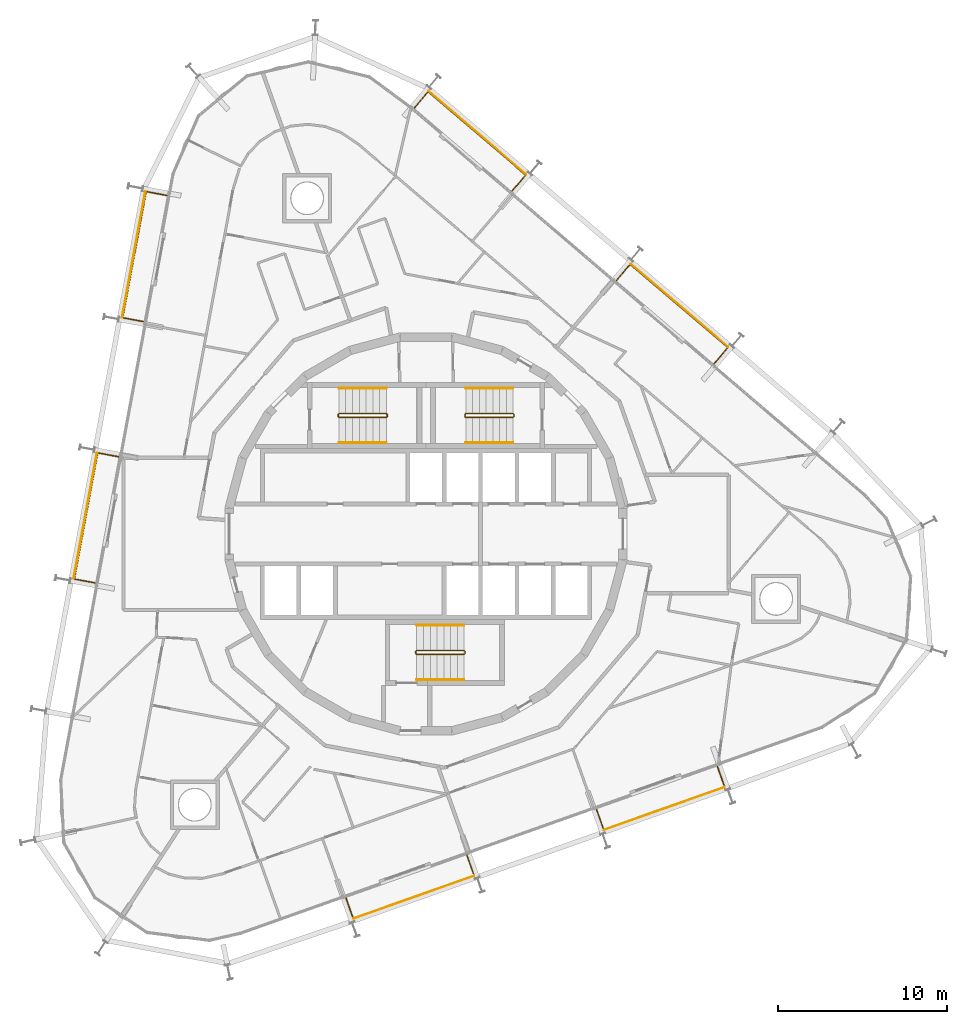
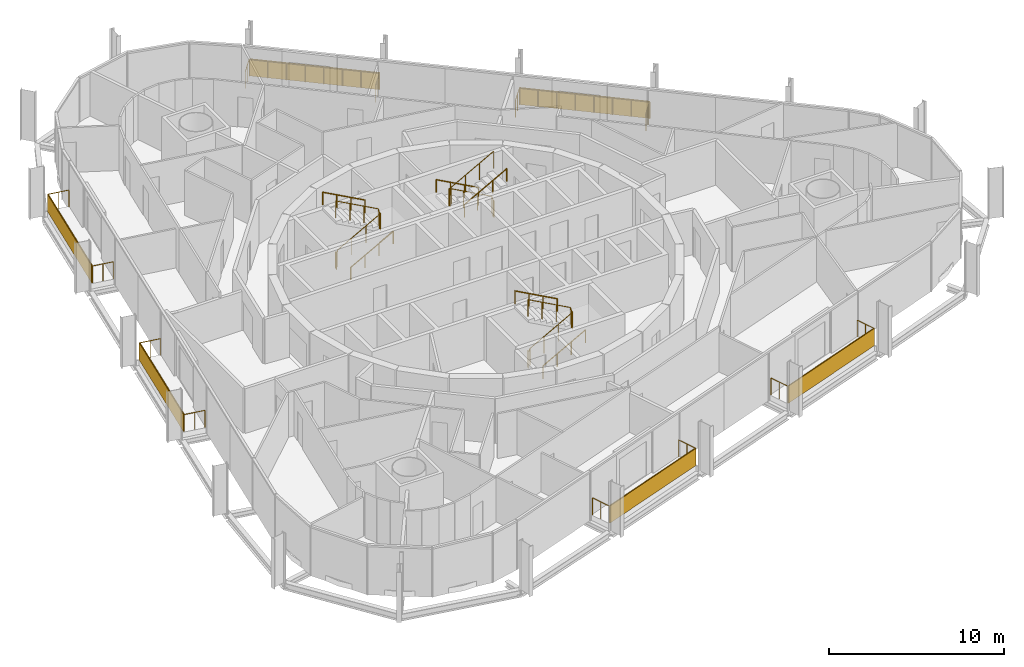
# One storey, part 17 of 17: 15 railings, 6 shading devices.
"""IFC4 building model written with IfcOpenShell, lengths in metres."""

from ifc_helpers import new_model, si_unit, direction, frame, origin, origin_2d, place, context, subcontext, project, spatial, rectangle, circle, extrude, material, layer, layer_set, type_object, element, save


model = new_model("IFC4")

# Units and contexts
model_context = context("Model", 3, precision=1e-05, world=origin(), true_north=direction((0.0, 1.0)))
body_context = subcontext(model_context, "Body", "Model", "MODEL_VIEW")
ifc_project = project(units=[si_unit("LENGTHUNIT", "METRE"), si_unit("AREAUNIT", "SQUARE_METRE"), si_unit("VOLUMEUNIT", "CUBIC_METRE"), si_unit("PLANEANGLEUNIT", "RADIAN"), si_unit("MASSUNIT", "GRAM", prefix="KILO")], contexts=[model_context])

# Site, building, storey
site_placement = place(None, origin())
site = spatial("IfcSite", under=ifc_project, at=site_placement, CompositionType="ELEMENT")
building_placement = place(site_placement, origin())
building = spatial("IfcBuilding", under=site, at=building_placement, Name="Spindle Arch Residences", CompositionType="ELEMENT")
storey_placement = place(building_placement, frame((0.0, 0.0, 172.699951171875)))
storey = spatial("IfcBuildingStorey", under=building, at=storey_placement, Name="L43", CompositionType="ELEMENT", Elevation=172.699951171875)

# Railings
ifc_material_1 = material(Name="Bronze anodised aluminium guard with glass infill", Category="aluminium")
railing_type_1 = type_object("IfcRailingType", Name="Balcony guard 1200", PredefinedType="GUARDRAIL", material=ifc_material_1)
railing_1_placement = place(storey_placement, frame((10.081787109375, -16.2919921875, 0.0)))
element("IfcRailing", 1, at=railing_1_placement, inside=storey, type_object=railing_type_1, Name="Guard L43 bay 1", PredefinedType="GUARDRAIL", context=body_context, shape_type="SweptSolid", body=[
    extrude(circle(Radius=0.02392578125, at=origin_2d()), frame((0.0, 0.0, 1.17578125), z_axis=(0.333749533427, -0.942661789263, 0.0), x_axis=(0.942661789263, 0.333749533427, 0.0)), (0.0, 0.0, 1.0), 1.250244140625),
    extrude(circle(Radius=0.02392578125, at=origin_2d()), frame((0.417236328125, -1.178466796875, 1.17578125), z_axis=(0.942639455571, 0.333812607313, 0.0), x_axis=(-0.333812607313, 0.942639455571, 0.0)), (0.0, 0.0, 1.0), 7.590087890625),
    extrude(circle(Radius=0.02392578125, at=origin_2d()), frame((7.572021484375, 1.355224609375, 1.17578125), z_axis=(-0.333984527886, 0.942578556478, 0.0), x_axis=(-0.942578556478, -0.333984527886, 0.0)), (0.0, 0.0, 1.0), 1.25),
    extrude(circle(Radius=0.02099609375, at=origin_2d()), origin(), (0.0, 0.0, 1.0), 1.15185546875),
    extrude(circle(Radius=0.02099609375, at=origin_2d()), frame((0.20849609375, -0.58935546875, 0.0)), (0.0, 0.0, 1.0), 1.15185546875),
    extrude(circle(Radius=0.02099609375, at=origin_2d()), frame((0.417236328125, -1.178466796875, 0.0)), (0.0, 0.0, 1.0), 1.15185546875),
    extrude(circle(Radius=0.02099609375, at=origin_2d()), frame((1.439453125, -0.81640625, 0.0)), (0.0, 0.0, 1.0), 1.15185546875),
    extrude(circle(Radius=0.02099609375, at=origin_2d()), frame((2.46142578125, -0.45458984375, 0.0)), (0.0, 0.0, 1.0), 1.15185546875),
    extrude(circle(Radius=0.02099609375, at=origin_2d()), frame((3.483642578125, -0.092529296875, 0.0)), (0.0, 0.0, 1.0), 1.15185546875),
    extrude(circle(Radius=0.02099609375, at=origin_2d()), frame((4.505615234375, 0.269287109375, 0.0)), (0.0, 0.0, 1.0), 1.15185546875),
    extrude(circle(Radius=0.02099609375, at=origin_2d()), frame((5.52783203125, 0.63134765625, 0.0)), (0.0, 0.0, 1.0), 1.15185546875),
    extrude(circle(Radius=0.02099609375, at=origin_2d()), frame((6.5498046875, 0.9931640625, 0.0)), (0.0, 0.0, 1.0), 1.15185546875),
    extrude(circle(Radius=0.02099609375, at=origin_2d()), frame((7.572021484375, 1.355224609375, 0.0)), (0.0, 0.0, 1.0), 1.15185546875),
    extrude(circle(Radius=0.02099609375, at=origin_2d()), frame((7.36328125, 1.9443359375, 0.0)), (0.0, 0.0, 1.0), 1.15185546875),
    extrude(circle(Radius=0.02099609375, at=origin_2d()), frame((7.154541015625, 2.533447265625, 0.0)), (0.0, 0.0, 1.0), 1.15185546875),
])
railing_2_placement = place(storey_placement, frame((17.03759765625, 10.07080078125, 0.0)))
element("IfcRailing", 2, at=railing_2_placement, inside=storey, type_object=railing_type_1, Name="Guard L43 bay 7", PredefinedType="GUARDRAIL", context=body_context, shape_type="SweptSolid", body=[
    extrude(circle(Radius=0.02392578125, at=origin_2d()), frame((0.0, 0.0, 1.17578125), z_axis=(0.64945526422, 0.760399802589, 0.0), x_axis=(-0.760399802589, 0.64945526422, 0.0)), (0.0, 0.0, 1.0), 1.25),
    extrude(circle(Radius=0.02392578125, at=origin_2d()), frame((0.811767578125, 0.950439453125, 1.17578125), z_axis=(-0.760397505333, 0.649457953899, 0.0), x_axis=(-0.649457953899, -0.760397505333, 0.0)), (0.0, 0.0, 1.0), 7.590087890625),
    extrude(circle(Radius=0.02392578125, at=origin_2d()), frame((-4.959716796875, 5.8798828125, 1.17578125), z_axis=(-0.64945526422, -0.760399802589, 0.0), x_axis=(0.760399802589, -0.64945526422, 0.0)), (0.0, 0.0, 1.0), 1.25),
    extrude(circle(Radius=0.02099609375, at=origin_2d()), origin(), (0.0, 0.0, 1.0), 1.15185546875),
    extrude(circle(Radius=0.02099609375, at=origin_2d()), frame((0.40576171875, 0.47509765625, 0.0)), (0.0, 0.0, 1.0), 1.15185546875),
    extrude(circle(Radius=0.02099609375, at=origin_2d()), frame((0.811767578125, 0.950439453125, 0.0)), (0.0, 0.0, 1.0), 1.15185546875),
    extrude(circle(Radius=0.02099609375, at=origin_2d()), frame((-0.0126953125, 1.654541015625, 0.0)), (0.0, 0.0, 1.0), 1.15185546875),
    extrude(circle(Radius=0.02099609375, at=origin_2d()), frame((-0.837158203125, 2.35888671875, 0.0)), (0.0, 0.0, 1.0), 1.15185546875),
    extrude(circle(Radius=0.02099609375, at=origin_2d()), frame((-1.66162109375, 3.06298828125, 0.0)), (0.0, 0.0, 1.0), 1.15185546875),
    extrude(circle(Radius=0.02099609375, at=origin_2d()), frame((-2.486328125, 3.767333984375, 0.0)), (0.0, 0.0, 1.0), 1.15185546875),
    extrude(circle(Radius=0.02099609375, at=origin_2d()), frame((-3.310791015625, 4.471435546875, 0.0)), (0.0, 0.0, 1.0), 1.15185546875),
    extrude(circle(Radius=0.02099609375, at=origin_2d()), frame((-4.13525390625, 5.17578125, 0.0)), (0.0, 0.0, 1.0), 1.15185546875),
    extrude(circle(Radius=0.02099609375, at=origin_2d()), frame((-4.959716796875, 5.8798828125, 0.0)), (0.0, 0.0, 1.0), 1.15185546875),
    extrude(circle(Radius=0.02099609375, at=origin_2d()), frame((-5.36572265625, 5.40478515625, 0.0)), (0.0, 0.0, 1.0), 1.15185546875),
    extrude(circle(Radius=0.02099609375, at=origin_2d()), frame((-5.771484375, 4.929443359375, 0.0)), (0.0, 0.0, 1.0), 1.15185546875),
])
railing_3_placement = place(storey_placement, frame((5.083984375, 20.2802734375, 0.0)))
element("IfcRailing", 3, at=railing_3_placement, inside=storey, type_object=railing_type_1, Name="Guard L43 bay 9", PredefinedType="GUARDRAIL", context=body_context, shape_type="SweptSolid", body=[
    extrude(circle(Radius=0.02392578125, at=origin_2d()), frame((0.0, 0.0, 1.17578125), z_axis=(0.64945526422, 0.760399802589, 0.0), x_axis=(-0.760399802589, 0.64945526422, 0.0)), (0.0, 0.0, 1.0), 1.25),
    extrude(circle(Radius=0.02392578125, at=origin_2d()), frame((0.811767578125, 0.950439453125, 1.17578125), z_axis=(-0.760397505333, 0.649457953899, 0.0), x_axis=(-0.649457953899, -0.760397505333, 0.0)), (0.0, 0.0, 1.0), 7.590087890625),
    extrude(circle(Radius=0.02392578125, at=origin_2d()), frame((-4.959716796875, 5.8798828125, 1.17578125), z_axis=(-0.649358812972, -0.760482170741, 0.0), x_axis=(0.760482170741, -0.649358812972, 0.0)), (0.0, 0.0, 1.0), 1.25),
    extrude(circle(Radius=0.02099609375, at=origin_2d()), origin(), (0.0, 0.0, 1.0), 1.15185546875),
    extrude(circle(Radius=0.02099609375, at=origin_2d()), frame((0.40576171875, 0.47509765625, 0.0)), (0.0, 0.0, 1.0), 1.15185546875),
    extrude(circle(Radius=0.02099609375, at=origin_2d()), frame((0.811767578125, 0.950439453125, 0.0)), (0.0, 0.0, 1.0), 1.15185546875),
    extrude(circle(Radius=0.02099609375, at=origin_2d()), frame((-0.0126953125, 1.654541015625, 0.0)), (0.0, 0.0, 1.0), 1.15185546875),
    extrude(circle(Radius=0.02099609375, at=origin_2d()), frame((-0.837158203125, 2.35888671875, 0.0)), (0.0, 0.0, 1.0), 1.15185546875),
    extrude(circle(Radius=0.02099609375, at=origin_2d()), frame((-1.66162109375, 3.06298828125, 0.0)), (0.0, 0.0, 1.0), 1.15185546875),
    extrude(circle(Radius=0.02099609375, at=origin_2d()), frame((-2.486328125, 3.767333984375, 0.0)), (0.0, 0.0, 1.0), 1.15185546875),
    extrude(circle(Radius=0.02099609375, at=origin_2d()), frame((-3.310791015625, 4.471435546875, 0.0)), (0.0, 0.0, 1.0), 1.15185546875),
    extrude(circle(Radius=0.02099609375, at=origin_2d()), frame((-4.13525390625, 5.17578125, 0.0)), (0.0, 0.0, 1.0), 1.15185546875),
    extrude(circle(Radius=0.02099609375, at=origin_2d()), frame((-4.959716796875, 5.8798828125, 0.0)), (0.0, 0.0, 1.0), 1.15185546875),
    extrude(circle(Radius=0.02099609375, at=origin_2d()), frame((-5.36572265625, 5.404541015625, 0.0)), (0.0, 0.0, 1.0), 1.15185546875),
    extrude(circle(Radius=0.02099609375, at=origin_2d()), frame((-5.771484375, 4.92919921875, 0.0)), (0.0, 0.0, 1.0), 1.15185546875),
])
railing_4_placement = place(storey_placement, frame((-15.33056640625, 20.024169921875, 0.0)))
element("IfcRailing", 4, at=railing_4_placement, inside=storey, type_object=railing_type_1, Name="Guard L43 bay 13", PredefinedType="GUARDRAIL", context=body_context, shape_type="SweptSolid", body=[
    extrude(circle(Radius=0.02392578125, at=origin_2d()), frame((0.0, 0.0, 1.17578125), z_axis=(-0.983254793894, 0.182236138797, 0.0), x_axis=(-0.182236138797, -0.983254793894, 0.0)), (0.0, 0.0, 1.0), 1.25),
    extrude(circle(Radius=0.02392578125, at=origin_2d()), frame((-1.22900390625, 0.227783203125, 1.17578125), z_axis=(-0.182252818169, -0.983251702398, 0.0), x_axis=(0.983251702398, -0.182252818169, 0.0)), (0.0, 0.0, 1.0), 7.590087890625),
    extrude(circle(Radius=0.02392578125, at=origin_2d()), frame((-2.6123046875, -7.235107421875, 1.17578125), z_axis=(0.983261278697, -0.182201146579, 0.0), x_axis=(0.182201146579, 0.983261278697, 0.0)), (0.0, 0.0, 1.0), 1.250244140625),
    extrude(circle(Radius=0.02099609375, at=origin_2d()), origin(), (0.0, 0.0, 1.0), 1.15185546875),
    extrude(circle(Radius=0.02099609375, at=origin_2d()), frame((-0.614501953125, 0.11376953125, 0.0)), (0.0, 0.0, 1.0), 1.15185546875),
    extrude(circle(Radius=0.02099609375, at=origin_2d()), frame((-1.22900390625, 0.227783203125, 0.0)), (0.0, 0.0, 1.0), 1.15185546875),
    extrude(circle(Radius=0.02099609375, at=origin_2d()), frame((-1.426513671875, -0.83837890625, 0.0)), (0.0, 0.0, 1.0), 1.15185546875),
    extrude(circle(Radius=0.02099609375, at=origin_2d()), frame((-1.624267578125, -1.904541015625, 0.0)), (0.0, 0.0, 1.0), 1.15185546875),
    extrude(circle(Radius=0.02099609375, at=origin_2d()), frame((-1.82177734375, -2.970703125, 0.0)), (0.0, 0.0, 1.0), 1.15185546875),
    extrude(circle(Radius=0.02099609375, at=origin_2d()), frame((-2.01953125, -4.03662109375, 0.0)), (0.0, 0.0, 1.0), 1.15185546875),
    extrude(circle(Radius=0.02099609375, at=origin_2d()), frame((-2.217041015625, -5.102783203125, 0.0)), (0.0, 0.0, 1.0), 1.15185546875),
    extrude(circle(Radius=0.02099609375, at=origin_2d()), frame((-2.414794921875, -6.1689453125, 0.0)), (0.0, 0.0, 1.0), 1.15185546875),
    extrude(circle(Radius=0.02099609375, at=origin_2d()), frame((-2.6123046875, -7.235107421875, 0.0)), (0.0, 0.0, 1.0), 1.15185546875),
    extrude(circle(Radius=0.02099609375, at=origin_2d()), frame((-1.99755859375, -7.34912109375, 0.0)), (0.0, 0.0, 1.0), 1.15185546875),
    extrude(circle(Radius=0.02099609375, at=origin_2d()), frame((-1.383056640625, -7.462890625, 0.0)), (0.0, 0.0, 1.0), 1.15185546875),
])
railing_5_placement = place(storey_placement, frame((-18.1953125, 4.5673828125, 0.0)))
element("IfcRailing", 5, at=railing_5_placement, inside=storey, type_object=railing_type_1, Name="Guard L43 bay 15", PredefinedType="GUARDRAIL", context=body_context, shape_type="SweptSolid", body=[
    extrude(circle(Radius=0.02392578125, at=origin_2d()), frame((0.0, 0.0, 1.17578125), z_axis=(-0.983254793894, 0.182236138797, 0.0), x_axis=(-0.182236138797, -0.983254793894, 0.0)), (0.0, 0.0, 1.0), 1.25),
    extrude(circle(Radius=0.02392578125, at=origin_2d()), frame((-1.22900390625, 0.227783203125, 1.17578125), z_axis=(-0.18224705418, -0.983252770778, 0.0), x_axis=(0.983252770778, -0.18224705418, 0.0)), (0.0, 0.0, 1.0), 7.59033203125),
    extrude(circle(Radius=0.02392578125, at=origin_2d()), frame((-2.6123046875, -7.2353515625, 1.17578125), z_axis=(0.983261278697, -0.182201146579, 0.0), x_axis=(0.182201146579, 0.983261278697, 0.0)), (0.0, 0.0, 1.0), 1.250244140625),
    extrude(circle(Radius=0.02099609375, at=origin_2d()), origin(), (0.0, 0.0, 1.0), 1.15185546875),
    extrude(circle(Radius=0.02099609375, at=origin_2d()), frame((-0.614501953125, 0.11376953125, 0.0)), (0.0, 0.0, 1.0), 1.15185546875),
    extrude(circle(Radius=0.02099609375, at=origin_2d()), frame((-1.22900390625, 0.227783203125, 0.0)), (0.0, 0.0, 1.0), 1.15185546875),
    extrude(circle(Radius=0.02099609375, at=origin_2d()), frame((-1.426513671875, -0.83837890625, 0.0)), (0.0, 0.0, 1.0), 1.15185546875),
    extrude(circle(Radius=0.02099609375, at=origin_2d()), frame((-1.624267578125, -1.904541015625, 0.0)), (0.0, 0.0, 1.0), 1.15185546875),
    extrude(circle(Radius=0.02099609375, at=origin_2d()), frame((-1.82177734375, -2.970703125, 0.0)), (0.0, 0.0, 1.0), 1.15185546875),
    extrude(circle(Radius=0.02099609375, at=origin_2d()), frame((-2.01953125, -4.036865234375, 0.0)), (0.0, 0.0, 1.0), 1.15185546875),
    extrude(circle(Radius=0.02099609375, at=origin_2d()), frame((-2.217041015625, -5.10302734375, 0.0)), (0.0, 0.0, 1.0), 1.15185546875),
    extrude(circle(Radius=0.02099609375, at=origin_2d()), frame((-2.414794921875, -6.169189453125, 0.0)), (0.0, 0.0, 1.0), 1.15185546875),
    extrude(circle(Radius=0.02099609375, at=origin_2d()), frame((-2.6123046875, -7.2353515625, 0.0)), (0.0, 0.0, 1.0), 1.15185546875),
    extrude(circle(Radius=0.02099609375, at=origin_2d()), frame((-1.99755859375, -7.34912109375, 0.0)), (0.0, 0.0, 1.0), 1.15185546875),
    extrude(circle(Radius=0.02099609375, at=origin_2d()), frame((-1.383056640625, -7.463134765625, 0.0)), (0.0, 0.0, 1.0), 1.15185546875),
])
railing_6_placement = place(storey_placement, frame((-4.73681640625, -21.53955078125, 0.0)))
element("IfcRailing", 6, at=railing_6_placement, inside=storey, type_object=railing_type_1, Name="Guard L43 bay 21", PredefinedType="GUARDRAIL", context=body_context, shape_type="SweptSolid", body=[
    extrude(circle(Radius=0.02392578125, at=origin_2d()), frame((0.0, 0.0, 1.17578125), z_axis=(0.333810984592, -0.942640030216, 0.0), x_axis=(0.942640030216, 0.333810984592, 0.0)), (0.0, 0.0, 1.0), 1.25),
    extrude(circle(Radius=0.02392578125, at=origin_2d()), frame((0.417236328125, -1.17822265625, 1.17578125), z_axis=(0.942649576572, 0.333784025663, 0.0), x_axis=(-0.333784025663, 0.942649576572, 0.0)), (0.0, 0.0, 1.0), 7.590087890625),
    extrude(circle(Radius=0.02392578125, at=origin_2d()), frame((7.572021484375, 1.355224609375, 1.17578125), z_axis=(-0.333749533427, 0.942661789263, 0.0), x_axis=(-0.942661789263, -0.333749533427, 0.0)), (0.0, 0.0, 1.0), 1.250244140625),
    extrude(circle(Radius=0.02099609375, at=origin_2d()), origin(), (0.0, 0.0, 1.0), 1.15185546875),
    extrude(circle(Radius=0.02099609375, at=origin_2d()), frame((0.20849609375, -0.589111328125, 0.0)), (0.0, 0.0, 1.0), 1.15185546875),
    extrude(circle(Radius=0.02099609375, at=origin_2d()), frame((0.417236328125, -1.17822265625, 0.0)), (0.0, 0.0, 1.0), 1.15185546875),
    extrude(circle(Radius=0.02099609375, at=origin_2d()), frame((1.439453125, -0.81640625, 0.0)), (0.0, 0.0, 1.0), 1.15185546875),
    extrude(circle(Radius=0.02099609375, at=origin_2d()), frame((2.46142578125, -0.454345703125, 0.0)), (0.0, 0.0, 1.0), 1.15185546875),
    extrude(circle(Radius=0.02099609375, at=origin_2d()), frame((3.483642578125, -0.092529296875, 0.0)), (0.0, 0.0, 1.0), 1.15185546875),
    extrude(circle(Radius=0.02099609375, at=origin_2d()), frame((4.505615234375, 0.26953125, 0.0)), (0.0, 0.0, 1.0), 1.15185546875),
    extrude(circle(Radius=0.02099609375, at=origin_2d()), frame((5.52783203125, 0.63134765625, 0.0)), (0.0, 0.0, 1.0), 1.15185546875),
    extrude(circle(Radius=0.02099609375, at=origin_2d()), frame((6.5498046875, 0.993408203125, 0.0)), (0.0, 0.0, 1.0), 1.15185546875),
    extrude(circle(Radius=0.02099609375, at=origin_2d()), frame((7.572021484375, 1.355224609375, 0.0)), (0.0, 0.0, 1.0), 1.15185546875),
    extrude(circle(Radius=0.02099609375, at=origin_2d()), frame((7.36328125, 1.9443359375, 0.0)), (0.0, 0.0, 1.0), 1.15185546875),
    extrude(circle(Radius=0.02099609375, at=origin_2d()), frame((7.15478515625, 2.53369140625, 0.0)), (0.0, 0.0, 1.0), 1.15185546875),
])

# Shading devices
ifc_material_2 = material(Name="Bronze perforated cobogo screen")
ifc_layer = layer(ifc_material_2, 0.0390625)
ifc_layer_set = layer_set([ifc_layer], Name="Cobogo screen 1200")
shading_device_type = type_object("IfcShadingDeviceType", Name="Cobogo screen 1200", PredefinedType="USERDEFINED", material=ifc_layer_set)
for number, where, z_axis, x_axis, name in (
    (7, (14.08984375, -16.24169921875, 0.0), (0.0, 0.0, 1.0), (0.942641491092, 0.333806859234, 0.0), "Cobogo screen L43 bay 1"),
    (8, (14.989990234375, 13.516845703125, 0.0), (0.0, 0.0, 1.0), (-0.7604059656, 0.64944804833, 0.0), "Cobogo screen L43 bay 7"),
    (9, (3.036376953125, 23.726318359375, 0.0), (0.0, 0.0, 1.0), (-0.7604059656, 0.64944804833, 0.0), "Cobogo screen L43 bay 9"),
    (10, (-17.291015625, 16.52783203125, 0.0), (0.0, 0.0, 1.0), (-0.182235525492, -0.983254907564, 0.0), "Cobogo screen L43 bay 13"),
    (11, (-20.15576171875, 1.071044921875, 0.0), (0.0, 0.0, 1.0), (-0.182235525492, -0.983254907564, 0.0), "Cobogo screen L43 bay 15"),
    (12, (-0.728515625, -21.4892578125, 0.0), (0.0, 0.0, 1.0), (0.942641491092, 0.333806859234, 0.0), "Cobogo screen L43 bay 21"),
):
    element("IfcShadingDevice", number, at=place(storey_placement, frame(where, z_axis=z_axis, x_axis=x_axis)), inside=storey, type_object=shading_device_type, Name=name, ObjectType="SCREEN", PredefinedType="USERDEFINED", context=body_context, shape_type="SweptSolid", body=[
        extrude(rectangle(XDim=7.590087890625, YDim=0.0390625, at=origin_2d()), origin(), (0.0, 0.0, 1.0), 1.199951171875),
    ])

# Railings
ifc_material_3 = material(Name="Steel, painted", Category="steel")
railing_type_2 = type_object("IfcRailingType", Name="Stair guard 1100", PredefinedType="GUARDRAIL", material=ifc_material_3)
railing_7_placement = place(storey_placement, frame((5.14990234375, 6.89990234375, 3.5)))
element("IfcRailing", 13, at=railing_7_placement, inside=storey, type_object=railing_type_2, Name="L43 ST1 stair guard 1", PredefinedType="GUARDRAIL", context=body_context, shape_type="SweptSolid", body=[
    extrude(circle(Radius=0.02392578125, at=origin_2d()), frame((0.0, 0.0, 1.17578125), z_axis=(-0.877357048833, 0.0, -0.479838106931), x_axis=(0.0, -1.0, 0.0)), (0.0, 0.0, 1.0), 3.191162109375),
    extrude(circle(Radius=0.02392578125, at=origin_2d()), frame((-2.7998046875, 0.0, -0.35546875), z_axis=(-0.217683172539, 0.217683172539, -0.951434744366), x_axis=(-0.707106781187, -0.707106781187, 0.0)), (0.0, 0.0, 1.0), 0.22998046875),
    extrude(circle(Radius=0.02392578125, at=origin_2d()), frame((-2.849853515625, 0.050048828125, -0.57421875), z_axis=(0.0, 1.0, 0.0), x_axis=(-1.0, 0.0, 0.0)), (0.0, 0.0, 1.0), 0.1201171875),
    extrude(circle(Radius=0.02392578125, at=origin_2d()), frame((-2.849853515625, 0.170166015625, -0.57421875), z_axis=(0.707106781187, 0.707106781187, 0.0), x_axis=(-0.707106781187, 0.707106781187, 0.0)), (0.0, 0.0, 1.0), 0.07080078125),
    extrude(circle(Radius=0.02392578125, at=origin_2d()), frame((-2.7998046875, 0.22021484375, -0.57421875), z_axis=(0.877357048833, 0.0, -0.479838106931), x_axis=(0.0, 1.0, 0.0)), (0.0, 0.0, 1.0), 3.191162109375),
    extrude(circle(Radius=0.02392578125, at=origin_2d()), frame((0.0, 0.22021484375, -2.10546875), z_axis=(0.217683172539, -0.217683172539, -0.951434744366), x_axis=(0.707106781187, 0.707106781187, 0.0)), (0.0, 0.0, 1.0), 0.22998046875),
    extrude(circle(Radius=0.02392578125, at=origin_2d()), frame((0.050048828125, 0.170166015625, -2.32421875), z_axis=(0.0, -1.0, 0.0), x_axis=(1.0, 0.0, 0.0)), (0.0, 0.0, 1.0), 0.1201171875),
    extrude(circle(Radius=0.02099609375, at=origin_2d()), origin(), (0.0, 0.0, 1.0), 1.15185546875),
    extrude(circle(Radius=0.02099609375, at=origin_2d()), frame((-0.933349609375, 0.0, -0.510498046875)), (0.0, 0.0, 1.0), 1.15185546875),
    extrude(circle(Radius=0.02099609375, at=origin_2d()), frame((-1.866455078125, 0.0, -1.020751953125)), (0.0, 0.0, 1.0), 1.15185546875),
    extrude(circle(Radius=0.02099609375, at=origin_2d()), frame((-2.7998046875, 0.0, -1.53125)), (0.0, 0.0, 1.0), 1.15185546875),
    extrude(circle(Radius=0.02099609375, at=origin_2d()), frame((-2.849853515625, 0.050048828125, -1.75)), (0.0, 0.0, 1.0), 1.15185546875),
    extrude(circle(Radius=0.02099609375, at=origin_2d()), frame((-2.849853515625, 0.170166015625, -1.75)), (0.0, 0.0, 1.0), 1.15185546875),
    extrude(circle(Radius=0.02099609375, at=origin_2d()), frame((-2.7998046875, 0.22021484375, -1.75)), (0.0, 0.0, 1.0), 1.15185546875),
    extrude(circle(Radius=0.02099609375, at=origin_2d()), frame((-1.866455078125, 0.22021484375, -2.260498046875)), (0.0, 0.0, 1.0), 1.15185546875),
    extrude(circle(Radius=0.02099609375, at=origin_2d()), frame((-0.933349609375, 0.22021484375, -2.770751953125)), (0.0, 0.0, 1.0), 1.15185546875),
    extrude(circle(Radius=0.02099609375, at=origin_2d()), frame((0.0, 0.22021484375, -3.28125)), (0.0, 0.0, 1.0), 1.15185546875),
    extrude(circle(Radius=0.02099609375, at=origin_2d()), frame((0.050048828125, 0.170166015625, -3.5)), (0.0, 0.0, 1.0), 1.15185546875),
    extrude(circle(Radius=0.02099609375, at=origin_2d()), frame((0.050048828125, 0.050048828125, -3.5)), (0.0, 0.0, 1.0), 1.15185546875),
])
railing_8_placement = place(storey_placement, frame((-5.14990234375, 7.1201171875, 3.5)))
element("IfcRailing", 14, at=railing_8_placement, inside=storey, type_object=railing_type_2, Name="L43 ST2 stair guard 1", PredefinedType="GUARDRAIL", context=body_context, shape_type="SweptSolid", body=[
    extrude(circle(Radius=0.02392578125, at=origin_2d()), frame((0.0, 0.0, 1.17578125), z_axis=(0.877357048833, 0.0, -0.479838106931), x_axis=(0.0, 1.0, 0.0)), (0.0, 0.0, 1.0), 3.191162109375),
    extrude(circle(Radius=0.02392578125, at=origin_2d()), frame((2.7998046875, 0.0, -0.35546875), z_axis=(0.217683172539, -0.217683172539, -0.951434744366), x_axis=(0.707106781187, 0.707106781187, 0.0)), (0.0, 0.0, 1.0), 0.22998046875),
    extrude(circle(Radius=0.02392578125, at=origin_2d()), frame((2.849853515625, -0.050048828125, -0.57421875), z_axis=(0.0, -1.0, 0.0), x_axis=(1.0, 0.0, 0.0)), (0.0, 0.0, 1.0), 0.1201171875),
    extrude(circle(Radius=0.02392578125, at=origin_2d()), frame((2.849853515625, -0.170166015625, -0.57421875), z_axis=(-0.707106781187, -0.707106781187, 0.0), x_axis=(0.707106781187, -0.707106781187, 0.0)), (0.0, 0.0, 1.0), 0.07080078125),
    extrude(circle(Radius=0.02392578125, at=origin_2d()), frame((2.7998046875, -0.22021484375, -0.57421875), z_axis=(-0.877357048833, 0.0, -0.479838106931), x_axis=(0.0, -1.0, 0.0)), (0.0, 0.0, 1.0), 3.191162109375),
    extrude(circle(Radius=0.02392578125, at=origin_2d()), frame((0.0, -0.22021484375, -2.10546875), z_axis=(-0.217683172539, 0.217683172539, -0.951434744366), x_axis=(-0.707106781187, -0.707106781187, 0.0)), (0.0, 0.0, 1.0), 0.22998046875),
    extrude(circle(Radius=0.02392578125, at=origin_2d()), frame((-0.050048828125, -0.170166015625, -2.32421875), z_axis=(0.0, 1.0, 0.0), x_axis=(-1.0, 0.0, 0.0)), (0.0, 0.0, 1.0), 0.1201171875),
    extrude(circle(Radius=0.02099609375, at=origin_2d()), origin(), (0.0, 0.0, 1.0), 1.15185546875),
    extrude(circle(Radius=0.02099609375, at=origin_2d()), frame((0.933349609375, 0.0, -0.510498046875)), (0.0, 0.0, 1.0), 1.15185546875),
    extrude(circle(Radius=0.02099609375, at=origin_2d()), frame((1.866455078125, 0.0, -1.020751953125)), (0.0, 0.0, 1.0), 1.15185546875),
    extrude(circle(Radius=0.02099609375, at=origin_2d()), frame((2.7998046875, 0.0, -1.53125)), (0.0, 0.0, 1.0), 1.15185546875),
    extrude(circle(Radius=0.02099609375, at=origin_2d()), frame((2.849853515625, -0.050048828125, -1.75)), (0.0, 0.0, 1.0), 1.15185546875),
    extrude(circle(Radius=0.02099609375, at=origin_2d()), frame((2.849853515625, -0.170166015625, -1.75)), (0.0, 0.0, 1.0), 1.15185546875),
    extrude(circle(Radius=0.02099609375, at=origin_2d()), frame((2.7998046875, -0.22021484375, -1.75)), (0.0, 0.0, 1.0), 1.15185546875),
    extrude(circle(Radius=0.02099609375, at=origin_2d()), frame((1.866455078125, -0.22021484375, -2.260498046875)), (0.0, 0.0, 1.0), 1.15185546875),
    extrude(circle(Radius=0.02099609375, at=origin_2d()), frame((0.933349609375, -0.22021484375, -2.770751953125)), (0.0, 0.0, 1.0), 1.15185546875),
    extrude(circle(Radius=0.02099609375, at=origin_2d()), frame((0.0, -0.22021484375, -3.28125)), (0.0, 0.0, 1.0), 1.15185546875),
    extrude(circle(Radius=0.02099609375, at=origin_2d()), frame((-0.050048828125, -0.170166015625, -3.5)), (0.0, 0.0, 1.0), 1.15185546875),
    extrude(circle(Radius=0.02099609375, at=origin_2d()), frame((-0.050048828125, -0.050048828125, -3.5)), (0.0, 0.0, 1.0), 1.15185546875),
])
railing_9_placement = place(storey_placement, frame((-0.550048828125, -6.89990234375, 3.5)))
element("IfcRailing", 15, at=railing_9_placement, inside=storey, type_object=railing_type_2, Name="L43 ST3 stair guard 1", PredefinedType="GUARDRAIL", context=body_context, shape_type="SweptSolid", body=[
    extrude(circle(Radius=0.02392578125, at=origin_2d()), frame((0.0, 0.0, 1.17578125), z_axis=(0.877374661878, 0.0, -0.479805901063), x_axis=(0.0, 1.0, 0.0)), (0.0, 0.0, 1.0), 3.19140625),
    extrude(circle(Radius=0.02392578125, at=origin_2d()), frame((2.800048828125, 0.0, -0.35546875), z_axis=(0.217683172539, -0.217683172539, -0.951434744366), x_axis=(0.707106781187, 0.707106781187, 0.0)), (0.0, 0.0, 1.0), 0.22998046875),
    extrude(circle(Radius=0.02392578125, at=origin_2d()), frame((2.85009765625, -0.050048828125, -0.57421875), z_axis=(0.0, -1.0, 0.0), x_axis=(1.0, 0.0, 0.0)), (0.0, 0.0, 1.0), 0.1201171875),
    extrude(circle(Radius=0.02392578125, at=origin_2d()), frame((2.85009765625, -0.170166015625, -0.57421875), z_axis=(-0.707106781187, -0.707106781187, 0.0), x_axis=(0.707106781187, -0.707106781187, 0.0)), (0.0, 0.0, 1.0), 0.07080078125),
    extrude(circle(Radius=0.02392578125, at=origin_2d()), frame((2.800048828125, -0.22021484375, -0.57421875), z_axis=(-0.877374661878, 0.0, -0.479805901063), x_axis=(0.0, -1.0, 0.0)), (0.0, 0.0, 1.0), 3.19140625),
    extrude(circle(Radius=0.02392578125, at=origin_2d()), frame((0.0, -0.22021484375, -2.10546875), z_axis=(-0.217683172539, 0.217683172539, -0.951434744366), x_axis=(-0.707106781187, -0.707106781187, 0.0)), (0.0, 0.0, 1.0), 0.22998046875),
    extrude(circle(Radius=0.02392578125, at=origin_2d()), frame((-0.050048828125, -0.170166015625, -2.32421875), z_axis=(0.0, 1.0, 0.0), x_axis=(-1.0, 0.0, 0.0)), (0.0, 0.0, 1.0), 0.1201171875),
    extrude(circle(Radius=0.02099609375, at=origin_2d()), origin(), (0.0, 0.0, 1.0), 1.15185546875),
    extrude(circle(Radius=0.02099609375, at=origin_2d()), frame((0.933349609375, 0.0, -0.510498046875)), (0.0, 0.0, 1.0), 1.15185546875),
    extrude(circle(Radius=0.02099609375, at=origin_2d()), frame((1.86669921875, 0.0, -1.020751953125)), (0.0, 0.0, 1.0), 1.15185546875),
    extrude(circle(Radius=0.02099609375, at=origin_2d()), frame((2.800048828125, 0.0, -1.53125)), (0.0, 0.0, 1.0), 1.15185546875),
    extrude(circle(Radius=0.02099609375, at=origin_2d()), frame((2.85009765625, -0.050048828125, -1.75)), (0.0, 0.0, 1.0), 1.15185546875),
    extrude(circle(Radius=0.02099609375, at=origin_2d()), frame((2.85009765625, -0.170166015625, -1.75)), (0.0, 0.0, 1.0), 1.15185546875),
    extrude(circle(Radius=0.02099609375, at=origin_2d()), frame((2.800048828125, -0.22021484375, -1.75)), (0.0, 0.0, 1.0), 1.15185546875),
    extrude(circle(Radius=0.02099609375, at=origin_2d()), frame((1.86669921875, -0.22021484375, -2.260498046875)), (0.0, 0.0, 1.0), 1.15185546875),
    extrude(circle(Radius=0.02099609375, at=origin_2d()), frame((0.933349609375, -0.22021484375, -2.770751953125)), (0.0, 0.0, 1.0), 1.15185546875),
    extrude(circle(Radius=0.02099609375, at=origin_2d()), frame((0.0, -0.22021484375, -3.28125)), (0.0, 0.0, 1.0), 1.15185546875),
    extrude(circle(Radius=0.02099609375, at=origin_2d()), frame((-0.050048828125, -0.170166015625, -3.5)), (0.0, 0.0, 1.0), 1.15185546875),
    extrude(circle(Radius=0.02099609375, at=origin_2d()), frame((-0.050048828125, -0.050048828125, -3.5)), (0.0, 0.0, 1.0), 1.15185546875),
])
ifc_material_4 = material(Name="Steel, painted", Category="steel")
railing_type_3 = type_object("IfcRailingType", Name="Stair handrail 900", PredefinedType="HANDRAIL", material=ifc_material_4)
railing_10_placement = place(storey_placement, frame((5.14990234375, 8.6201171875, 0.21875)))
element("IfcRailing", 16, at=railing_10_placement, inside=storey, type_object=railing_type_3, Name="L43 ST1 stair handrail 1", PredefinedType="HANDRAIL", context=body_context, shape_type="SweptSolid", body=[
    extrude(circle(Radius=0.02392578125, at=origin_2d()), frame((0.0, 0.0, 0.8759765625), z_axis=(-0.877357048833, 0.0, 0.479838106931), x_axis=(0.0, -1.0, 0.0)), (0.0, 0.0, 1.0), 3.191162109375),
    extrude(circle(Radius=0.02099609375, at=origin_2d()), origin(), (0.0, 0.0, 1.0), 0.851806640625),
    extrude(circle(Radius=0.02099609375, at=origin_2d()), frame((-0.933349609375, 0.0, 0.510498046875)), (0.0, 0.0, 1.0), 0.851806640625),
    extrude(circle(Radius=0.02099609375, at=origin_2d()), frame((-1.866455078125, 0.0, 1.020751953125)), (0.0, 0.0, 1.0), 0.851806640625),
    extrude(circle(Radius=0.02099609375, at=origin_2d()), frame((-2.7998046875, 0.0, 1.53125)), (0.0, 0.0, 1.0), 0.851806640625),
])
for number, where, name in (
    (17, (2.35009765625, 5.39990234375, 1.96875), "L43 ST1 stair handrail 2"),
    (18, (-5.14990234375, 5.39990234375, 0.21875), "L43 ST2 stair handrail 1"),
):
    element("IfcRailing", number, at=place(storey_placement, frame(where)), inside=storey, type_object=railing_type_3, Name=name, PredefinedType="HANDRAIL", context=body_context, shape_type="SweptSolid", body=[
        extrude(circle(Radius=0.02392578125, at=origin_2d()), frame((0.0, 0.0, 0.8759765625), z_axis=(0.877357048833, 0.0, 0.479838106931), x_axis=(0.0, 1.0, 0.0)), (0.0, 0.0, 1.0), 3.191162109375),
        extrude(circle(Radius=0.02099609375, at=origin_2d()), origin(), (0.0, 0.0, 1.0), 0.851806640625),
        extrude(circle(Radius=0.02099609375, at=origin_2d()), frame((0.933349609375, 0.0, 0.510498046875)), (0.0, 0.0, 1.0), 0.851806640625),
        extrude(circle(Radius=0.02099609375, at=origin_2d()), frame((1.866455078125, 0.0, 1.020751953125)), (0.0, 0.0, 1.0), 0.851806640625),
        extrude(circle(Radius=0.02099609375, at=origin_2d()), frame((2.7998046875, 0.0, 1.53125)), (0.0, 0.0, 1.0), 0.851806640625),
    ])
railing_11_placement = place(storey_placement, frame((-2.35009765625, 8.6201171875, 1.96875)))
element("IfcRailing", 19, at=railing_11_placement, inside=storey, type_object=railing_type_3, Name="L43 ST2 stair handrail 2", PredefinedType="HANDRAIL", context=body_context, shape_type="SweptSolid", body=[
    extrude(circle(Radius=0.02392578125, at=origin_2d()), frame((0.0, 0.0, 0.8759765625), z_axis=(-0.877357048833, 0.0, 0.479838106931), x_axis=(0.0, -1.0, 0.0)), (0.0, 0.0, 1.0), 3.191162109375),
    extrude(circle(Radius=0.02099609375, at=origin_2d()), origin(), (0.0, 0.0, 1.0), 0.851806640625),
    extrude(circle(Radius=0.02099609375, at=origin_2d()), frame((-0.933349609375, 0.0, 0.510498046875)), (0.0, 0.0, 1.0), 0.851806640625),
    extrude(circle(Radius=0.02099609375, at=origin_2d()), frame((-1.866455078125, 0.0, 1.020751953125)), (0.0, 0.0, 1.0), 0.851806640625),
    extrude(circle(Radius=0.02099609375, at=origin_2d()), frame((-2.7998046875, 0.0, 1.53125)), (0.0, 0.0, 1.0), 0.851806640625),
])
railing_12_placement = place(storey_placement, frame((-0.550048828125, -8.6201171875, 0.21875)))
element("IfcRailing", 20, at=railing_12_placement, inside=storey, type_object=railing_type_3, Name="L43 ST3 stair handrail 1", PredefinedType="HANDRAIL", context=body_context, shape_type="SweptSolid", body=[
    extrude(circle(Radius=0.02392578125, at=origin_2d()), frame((0.0, 0.0, 0.8759765625), z_axis=(0.877374661878, 0.0, 0.479805901063), x_axis=(0.0, 1.0, 0.0)), (0.0, 0.0, 1.0), 3.19140625),
    extrude(circle(Radius=0.02099609375, at=origin_2d()), origin(), (0.0, 0.0, 1.0), 0.851806640625),
    extrude(circle(Radius=0.02099609375, at=origin_2d()), frame((0.933349609375, 0.0, 0.510498046875)), (0.0, 0.0, 1.0), 0.851806640625),
    extrude(circle(Radius=0.02099609375, at=origin_2d()), frame((1.86669921875, 0.0, 1.020751953125)), (0.0, 0.0, 1.0), 0.851806640625),
    extrude(circle(Radius=0.02099609375, at=origin_2d()), frame((2.800048828125, 0.0, 1.53125)), (0.0, 0.0, 1.0), 0.851806640625),
])
railing_13_placement = place(storey_placement, frame((2.25, -5.39990234375, 1.96875)))
element("IfcRailing", 21, at=railing_13_placement, inside=storey, type_object=railing_type_3, Name="L43 ST3 stair handrail 2", PredefinedType="HANDRAIL", context=body_context, shape_type="SweptSolid", body=[
    extrude(circle(Radius=0.02392578125, at=origin_2d()), frame((0.0, 0.0, 0.8759765625), z_axis=(-0.877374661878, 0.0, 0.479805901063), x_axis=(0.0, -1.0, 0.0)), (0.0, 0.0, 1.0), 3.19140625),
    extrude(circle(Radius=0.02099609375, at=origin_2d()), origin(), (0.0, 0.0, 1.0), 0.851806640625),
    extrude(circle(Radius=0.02099609375, at=origin_2d()), frame((-0.933349609375, 0.0, 0.510498046875)), (0.0, 0.0, 1.0), 0.851806640625),
    extrude(circle(Radius=0.02099609375, at=origin_2d()), frame((-1.86669921875, 0.0, 1.020751953125)), (0.0, 0.0, 1.0), 0.851806640625),
    extrude(circle(Radius=0.02099609375, at=origin_2d()), frame((-2.800048828125, 0.0, 1.53125)), (0.0, 0.0, 1.0), 0.851806640625),
])

save(model, "model.ifc")
